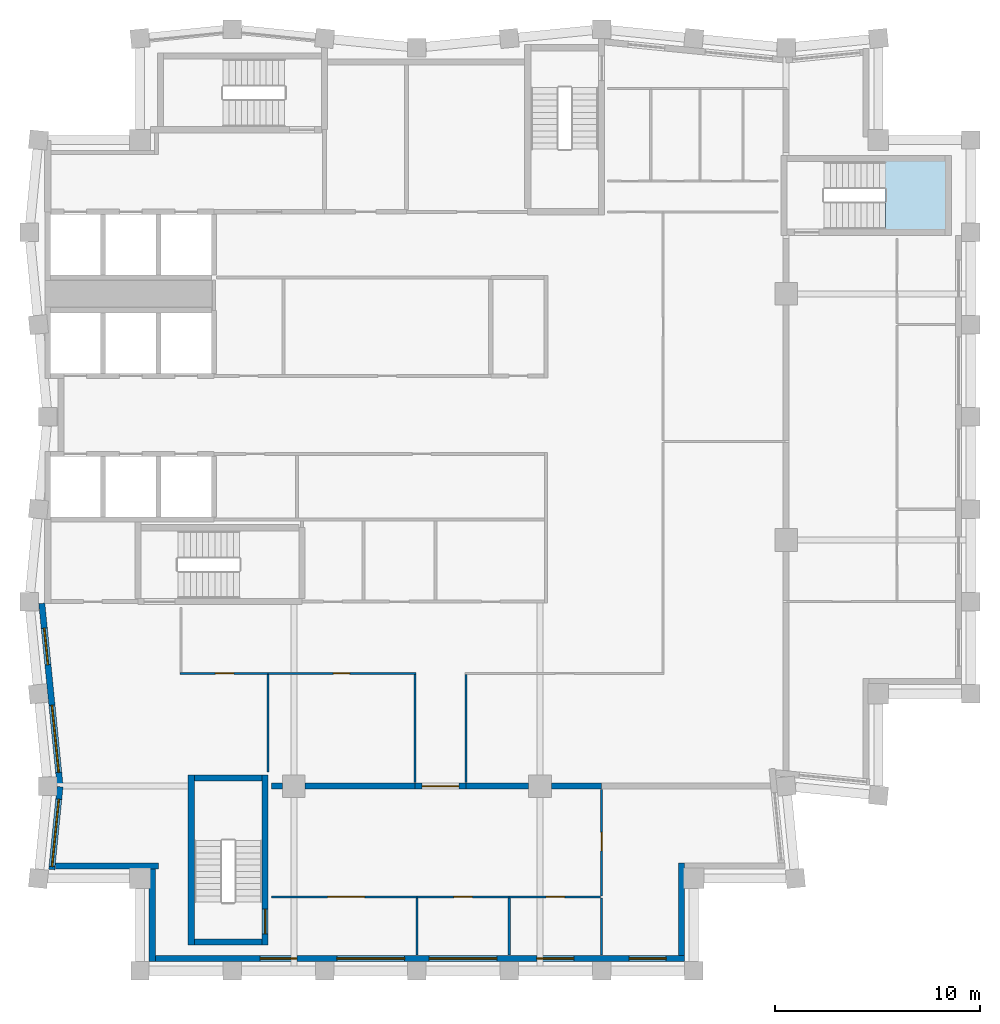
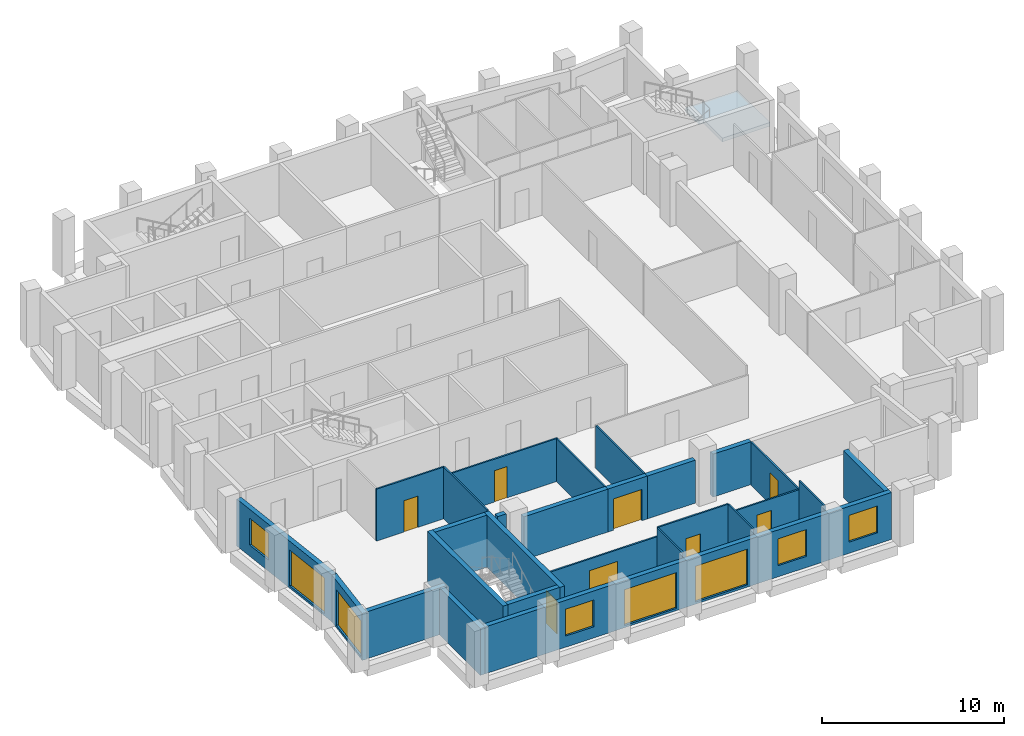
# One storey, part 2 of 7: 27 walls, 8 doors, 8 windows, 1 slab, 16 openings, 1 element without a shape of its own.
"""IFC4 building model written with IfcOpenShell, lengths in metres."""

from ifc_helpers import new_model, si_unit, direction, frame, frame_2d, origin, place, context, subcontext, project, spatial, polyline, rectangle, outline, extrude, material, layer, layer_set, type_object, element, fill, aggregate, save


model = new_model("IFC4")

# Units and contexts
model_context = context("Model", 3, precision=1e-05, world=origin(), true_north=direction((0.0, 1.0)))
body_context = subcontext(model_context, "Body", "Model", "MODEL_VIEW")
ifc_project = project(units=[si_unit("LENGTHUNIT", "METRE"), si_unit("AREAUNIT", "SQUARE_METRE"), si_unit("VOLUMEUNIT", "CUBIC_METRE"), si_unit("PLANEANGLEUNIT", "RADIAN"), si_unit("MASSUNIT", "GRAM", prefix="KILO")], contexts=[model_context])

# Site, building, storey
site_placement = place(None, origin())
site = spatial("IfcSite", under=ifc_project, at=site_placement, CompositionType="ELEMENT")
building_placement = place(site_placement, origin())
building = spatial("IfcBuilding", under=site, at=building_placement, Name="Brondeck Convention Tower", CompositionType="ELEMENT")
storey_placement = place(building_placement, frame((0.0, 0.0, 267.60009765625)))
storey = spatial("IfcBuildingStorey", under=building, at=storey_placement, Name="L66", CompositionType="ELEMENT", Elevation=267.60009765625)

# Stair, slab
ifc_material_1 = material(Name="Precast concrete C50/60", Category="concrete")
stair_type = type_object("IfcStairType", Name="Core stair 22 risers 172.73 mm riser 300 mm going 1350 wide", PredefinedType="HALF_TURN_STAIR", material=ifc_material_1)
stair_placement = place(storey_placement, origin())
stair = element("IfcStair", 1, at=stair_placement, inside=storey, type_object=stair_type, Name="ST-AE L66 stair", PredefinedType="HALF_TURN_STAIR")
ifc_layer_1 = layer(ifc_material_1, 0.25)
ifc_layer_set_1 = layer_set([ifc_layer_1], Name="Core stair landing 250 Precast concrete C50/60")
slab_type = type_object("IfcSlabType", Name="Core stair landing 250 Precast concrete C50/60", PredefinedType="LANDING", material=ifc_layer_set_1)
slab_placement = place(storey_placement, frame((0.0, 0.0, 1.64990234375)))
slab = element("IfcSlab", 2, at=slab_placement, type_object=slab_type, Name="ST-AE landing 1", PredefinedType="LANDING", context=body_context, shape_type="SweptSolid", body=[
    extrude(outline(polyline([(40.847900390625, 55.5), (40.85009765625, 55.5), (40.85009765625, 56.10009765625), (40.550048828125, 56.10009765625), (40.550048828125, 57.570068359375), (43.8701171875, 57.570068359375), (43.8701171875, 54.030029296875), (40.847900390625, 54.030029296875), (40.847900390625, 55.5)])), origin(), (0.0, 0.0, 1.0), 0.25),
])
aggregate(stair, [slab])

# Walls
ifc_material_2 = material(Name="Concrete compartment wall C30/37", Category="concrete")
ifc_layer_2 = layer(ifc_material_2, 0.300048828125)
ifc_layer_set_2 = layer_set([ifc_layer_2], Name="Compartment wall 300")
wall_type_1 = type_object("IfcWallType", Name="Compartment wall 300", PredefinedType="PARTITIONING", material=ifc_layer_set_2)
wall_1_placement = place(storey_placement, frame((10.89990234375, 27.0, 0.0), z_axis=(0.0, 0.0, 1.0), x_axis=(1.0, 0.0, 0.0)))
element("IfcWall", 3, at=wall_1_placement, inside=storey, type_object=wall_type_1, Name="FLR-L66-W013", PredefinedType="PARTITIONING", context=body_context, shape_type="SweptSolid", body=[
    extrude(rectangle(XDim=0.545166015625, YDim=0.300048828125, at=frame_2d((0.2724609375, 0.0))), origin(), (0.0, 0.0, 1.0), 3.47998046875),
])
wall_2_placement = place(storey_placement, frame((12.554931640625, 27.0, 0.0), z_axis=(0.0, 0.0, 1.0), x_axis=(1.0, 0.0, 0.0)))
element("IfcWall", 4, at=wall_2_placement, inside=storey, type_object=wall_type_1, Name="FLR-L66-W014", PredefinedType="PARTITIONING", context=body_context, shape_type="SweptSolid", body=[
    extrude(rectangle(XDim=5.344970703125, YDim=0.300048828125, at=frame_2d((2.67236328125, 0.0))), origin(), (0.0, 0.0, 1.0), 2.8798828125),
])

# Wall, opening, door
wall_3_placement = place(storey_placement, frame((20.39990234375, 27.0, 0.0), z_axis=(0.0, 0.0, 1.0), x_axis=(-1.0, 0.0, 0.0)))
wall_3 = element("IfcWall", 5, at=wall_3_placement, inside=storey, type_object=wall_type_1, Name="FLR-L66-W015", PredefinedType="PARTITIONING", context=body_context, shape_type="SweptSolid", body=[
    extrude(rectangle(XDim=2.5, YDim=0.300048828125, at=frame_2d((1.25, 0.0))), origin(), (0.0, 0.0, 1.0), 2.8798828125),
])
opening_1_placement = place(wall_3_placement, frame((0.35009765625, 0.0, 0.0)))
opening_1 = element("IfcOpeningElement", 6, at=opening_1_placement, cuts=wall_3, Name="Opening EX-C-018", PredefinedType="OPENING", context=body_context, shape_type="SweptSolid", body=[
    extrude(rectangle(XDim=1.800048828125, YDim=2.10009765625, at=frame_2d((0.89990234375, 1.050048828125))), frame((0.0, 0.159912109375, 0.0), z_axis=(0.0, -1.0, 0.0), x_axis=(1.0, 0.0, 0.0)), (0.0, 0.0, 1.0), 0.320068359375),
])
ifc_material_3 = material(Name="Steel fire door pair", Category="steel")
door_type_1 = type_object("IfcDoorType", Name="Fire door pair 1800", OperationType="DOUBLE_DOOR_SINGLE_SWING", PredefinedType="DOOR", material=ifc_material_3)
door_1_placement = place(opening_1_placement, origin())
door_1 = element("IfcDoor", 7, at=door_1_placement, inside=storey, type_object=door_type_1, Name="Door EX-C-018", OperationType="DOUBLE_DOOR_SINGLE_SWING", OverallHeight=2.10009765625, OverallWidth=1.800048828125, PredefinedType="DOOR", context=body_context, shape_type="SweptSolid", body=[
    extrude(rectangle(XDim=1.800048828125, YDim=2.10009765625, at=frame_2d((0.89990234375, 1.050048828125))), frame((0.0, 0.02490234375, 0.0), z_axis=(0.0, -1.0, 0.0), x_axis=(1.0, 0.0, 0.0)), (0.0, 0.0, 1.0), 0.050048828125),
])
fill(opening_1, door_1)

# Walls
wall_4_placement = place(storey_placement, frame((20.39990234375, 27.0, 0.0), z_axis=(0.0, 0.0, 1.0), x_axis=(1.0, 0.0, 0.0)))
element("IfcWall", 8, at=wall_4_placement, inside=storey, type_object=wall_type_1, Name="FLR-L66-W016", PredefinedType="PARTITIONING", context=body_context, shape_type="SweptSolid", body=[
    extrude(rectangle(XDim=3.045166015625, YDim=0.300048828125, at=frame_2d((1.5224609375, 0.0))), origin(), (0.0, 0.0, 1.0), 2.8798828125),
])
wall_5_placement = place(storey_placement, frame((24.554931640625, 27.0, 0.0), z_axis=(0.0, 0.0, 1.0), x_axis=(1.0, 0.0, 0.0)))
element("IfcWall", 9, at=wall_5_placement, inside=storey, type_object=wall_type_1, Name="FLR-L66-W017", PredefinedType="PARTITIONING", context=body_context, shape_type="SweptSolid", body=[
    extrude(rectangle(XDim=2.445068359375, YDim=0.300048828125, at=frame_2d((1.22265625, 0.0))), origin(), (0.0, 0.0, 1.0), 2.8798828125),
])

# Wall, openings, windows
ifc_material_4 = material(Name="Precast concrete C50/60 bronze finish", Category="concrete")
ifc_layer_3 = layer(ifc_material_4, 0.070068359375, Name="Bronze precast facing")
ifc_material_5 = material(Name="Mineral wool")
ifc_layer_4 = layer(ifc_material_5, 0.159912109375, Name="Insulation")
ifc_material_6 = material(Name="Concrete C35/45", Category="concrete")
ifc_layer_5 = layer(ifc_material_6, 0.070068359375, Name="Backing")
ifc_layer_set_3 = layer_set([ifc_layer_3, ifc_layer_4, ifc_layer_5], Name="External infill wall, precast concrete C50/60 bronze facing")
wall_type_2 = type_object("IfcWallType", Name="External infill wall, precast concrete C50/60 bronze facing", PredefinedType="SOLIDWALL", material=ifc_layer_set_3)
wall_6_placement = place(storey_placement, frame((31.050048828125, 18.60009765625, 0.0), z_axis=(0.0, 0.0, 1.0), x_axis=(-1.0, 0.0, 0.0)))
wall_6 = element("IfcWall", 10, at=wall_6_placement, inside=storey, type_object=wall_type_2, Name="ENV-EW-L66-P3-B-S18-01", PredefinedType="SOLIDWALL", context=body_context, shape_type="SweptSolid", body=[
    extrude(rectangle(XDim=25.800048828125, YDim=0.300048828125, at=frame_2d((12.89990234375, 0.0))), origin(), (0.0, 0.0, 1.0), 3.14990234375),
])
opening_2_placement = place(wall_6_placement, frame((0.89990234375, 0.0, 0.75)))
opening_2 = element("IfcOpeningElement", 11, at=opening_2_placement, cuts=wall_6, Name="Opening W10", PredefinedType="OPENING", context=body_context, shape_type="SweptSolid", body=[
    extrude(rectangle(XDim=1.800048828125, YDim=1.800048828125, at=frame_2d((0.89990234375, 0.89990234375))), frame((0.0, 0.159912109375, 0.0), z_axis=(0.0, -1.0, 0.0), x_axis=(1.0, 0.0, 0.0)), (0.0, 0.0, 1.0), 0.320068359375),
])
opening_3_placement = place(wall_6_placement, frame((5.39990234375, 0.0, 0.75)))
opening_3 = element("IfcOpeningElement", 12, at=opening_3_placement, cuts=wall_6, Name="Opening W10", PredefinedType="OPENING", context=body_context, shape_type="SweptSolid", body=[
    extrude(rectangle(XDim=1.800048828125, YDim=1.800048828125, at=frame_2d((0.89990234375, 0.89990234375))), frame((0.0, 0.159912109375, 0.0), z_axis=(0.0, -1.0, 0.0), x_axis=(1.0, 0.0, 0.0)), (0.0, 0.0, 1.0), 0.320068359375),
])
opening_4_placement = place(wall_6_placement, frame((9.14990234375, 0.0, 0.14990234375)))
opening_4 = element("IfcOpeningElement", 13, at=opening_4_placement, cuts=wall_6, Name="Opening W9", PredefinedType="OPENING", context=body_context, shape_type="SweptSolid", body=[
    extrude(rectangle(XDim=3.300048828125, YDim=2.39990234375, at=frame_2d((1.64990234375, 1.199951171875))), frame((0.0, 0.159912109375, 0.0), z_axis=(0.0, -1.0, 0.0), x_axis=(1.0, 0.0, 0.0)), (0.0, 0.0, 1.0), 0.320068359375),
])
opening_5_placement = place(wall_6_placement, frame((13.64990234375, 0.0, 0.14990234375)))
opening_5 = element("IfcOpeningElement", 14, at=opening_5_placement, cuts=wall_6, Name="Opening W9", PredefinedType="OPENING", context=body_context, shape_type="SweptSolid", body=[
    extrude(rectangle(XDim=3.300048828125, YDim=2.39990234375, at=frame_2d((1.64990234375, 1.199951171875))), frame((0.0, 0.159912109375, 0.0), z_axis=(0.0, -1.0, 0.0), x_axis=(1.0, 0.0, 0.0)), (0.0, 0.0, 1.0), 0.320068359375),
])
opening_6_placement = place(wall_6_placement, frame((18.89990234375, 0.0, 0.75)))
opening_6 = element("IfcOpeningElement", 15, at=opening_6_placement, cuts=wall_6, Name="Opening W10", PredefinedType="OPENING", context=body_context, shape_type="SweptSolid", body=[
    extrude(rectangle(XDim=1.800048828125, YDim=1.800048828125, at=frame_2d((0.89990234375, 0.89990234375))), frame((0.0, 0.159912109375, 0.0), z_axis=(0.0, -1.0, 0.0), x_axis=(1.0, 0.0, 0.0)), (0.0, 0.0, 1.0), 0.320068359375),
])
ifc_material_7 = material(Name="Bronze tinted double glazing", Category="glass")
window_type_1 = type_object("IfcWindowType", Name="Glazed flute window, bronze tinted", PartitioningType="SINGLE_PANEL", PredefinedType="WINDOW", material=ifc_material_7)
window_1_placement = place(opening_4_placement, origin())
window_1 = element("IfcWindow", 16, at=window_1_placement, inside=storey, type_object=window_type_1, Name="ENV-WN-L66-P3-B-S18-04", OverallHeight=2.39990234375, OverallWidth=3.300048828125, PartitioningType="SINGLE_PANEL", PredefinedType="WINDOW", context=body_context, shape_type="SweptSolid", body=[
    extrude(rectangle(XDim=3.300048828125, YDim=2.39990234375, at=frame_2d((1.64990234375, 1.199951171875))), frame((0.0, 0.030029296875, 0.0), z_axis=(0.0, -1.0, 0.0), x_axis=(1.0, 0.0, 0.0)), (0.0, 0.0, 1.0), 0.06005859375),
])
fill(opening_4, window_1)
window_2_placement = place(opening_5_placement, origin())
window_2 = element("IfcWindow", 17, at=window_2_placement, inside=storey, type_object=window_type_1, Name="ENV-WN-L66-P3-B-S18-03", OverallHeight=2.39990234375, OverallWidth=3.300048828125, PartitioningType="SINGLE_PANEL", PredefinedType="WINDOW", context=body_context, shape_type="SweptSolid", body=[
    extrude(rectangle(XDim=3.300048828125, YDim=2.39990234375, at=frame_2d((1.64990234375, 1.199951171875))), frame((0.0, 0.030029296875, 0.0), z_axis=(0.0, -1.0, 0.0), x_axis=(1.0, 0.0, 0.0)), (0.0, 0.0, 1.0), 0.06005859375),
])
fill(opening_5, window_2)
window_type_2 = type_object("IfcWindowType", Name="Punched window, bronze tinted", PartitioningType="SINGLE_PANEL", PredefinedType="WINDOW", material=ifc_material_7)
window_3_placement = place(opening_2_placement, origin())
window_3 = element("IfcWindow", 18, at=window_3_placement, inside=storey, type_object=window_type_2, Name="ENV-WN-L66-P3-B-S18-06", OverallHeight=1.800048828125, OverallWidth=1.800048828125, PartitioningType="SINGLE_PANEL", PredefinedType="WINDOW", context=body_context, shape_type="SweptSolid", body=[
    extrude(rectangle(XDim=1.800048828125, YDim=1.800048828125, at=frame_2d((0.89990234375, 0.89990234375))), frame((0.0, 0.030029296875, 0.0), z_axis=(0.0, -1.0, 0.0), x_axis=(1.0, 0.0, 0.0)), (0.0, 0.0, 1.0), 0.06005859375),
])
fill(opening_2, window_3)
window_4_placement = place(opening_3_placement, origin())
window_4 = element("IfcWindow", 19, at=window_4_placement, inside=storey, type_object=window_type_2, Name="ENV-WN-L66-P3-B-S18-05", OverallHeight=1.800048828125, OverallWidth=1.800048828125, PartitioningType="SINGLE_PANEL", PredefinedType="WINDOW", context=body_context, shape_type="SweptSolid", body=[
    extrude(rectangle(XDim=1.800048828125, YDim=1.800048828125, at=frame_2d((0.89990234375, 0.89990234375))), frame((0.0, 0.030029296875, 0.0), z_axis=(0.0, -1.0, 0.0), x_axis=(1.0, 0.0, 0.0)), (0.0, 0.0, 1.0), 0.06005859375),
])
fill(opening_3, window_4)
window_5_placement = place(opening_6_placement, origin())
window_5 = element("IfcWindow", 20, at=window_5_placement, inside=storey, type_object=window_type_2, Name="ENV-WN-L66-P3-B-S18-02", OverallHeight=1.800048828125, OverallWidth=1.800048828125, PartitioningType="SINGLE_PANEL", PredefinedType="WINDOW", context=body_context, shape_type="SweptSolid", body=[
    extrude(rectangle(XDim=1.800048828125, YDim=1.800048828125, at=frame_2d((0.89990234375, 0.89990234375))), frame((0.0, 0.030029296875, 0.0), z_axis=(0.0, -1.0, 0.0), x_axis=(1.0, 0.0, 0.0)), (0.0, 0.0, 1.0), 0.06005859375),
])
fill(opening_6, window_5)

# Wall
wall_7_placement = place(storey_placement, frame((30.89990234375, 23.25, 0.0), z_axis=(0.0, 0.0, 1.0), x_axis=(0.0, -1.0, 0.0)))
element("IfcWall", 21, at=wall_7_placement, inside=storey, type_object=wall_type_2, Name="ENV-EW-L66-P3-NC-SEB18-01", PredefinedType="SOLIDWALL", context=body_context, shape_type="SweptSolid", body=[
    extrude(rectangle(XDim=4.5, YDim=0.300048828125, at=frame_2d((2.25, 0.0))), origin(), (0.0, 0.0, 1.0), 3.14990234375),
])

# Wall, openings, windows
wall_8_placement = place(storey_placement, frame((0.6044921875, 26.985107421875, 0.0), z_axis=(0.0, 0.0, 1.0), x_axis=(-0.099509108728, 0.995036651225, 0.0)))
wall_8 = element("IfcWall", 22, at=wall_8_placement, inside=storey, type_object=wall_type_2, Name="ENV-EW-L66-P3-B-W-06", PredefinedType="SOLIDWALL", context=body_context, shape_type="SweptSolid", body=[
    extrude(rectangle(XDim=8.9697265625, YDim=0.300048828125, at=frame_2d((4.48486328125, 0.0))), origin(), (0.0, 0.0, 1.0), 3.14990234375),
])
opening_7_placement = place(wall_8_placement, frame((0.686279296875, 0.0, 0.14990234375)))
opening_7 = element("IfcOpeningElement", 23, at=opening_7_placement, cuts=wall_8, Name="Opening W9", PredefinedType="OPENING", context=body_context, shape_type="SweptSolid", body=[
    extrude(rectangle(XDim=3.300048828125, YDim=2.39990234375, at=frame_2d((1.64990234375, 1.199951171875))), frame((0.0, 0.159912109375, 0.0), z_axis=(0.0, -1.0, 0.0), x_axis=(1.0, 0.0, 0.0)), (0.0, 0.0, 1.0), 0.320068359375),
])
opening_8_placement = place(wall_8_placement, frame((5.95849609375, 0.0, 0.75)))
opening_8 = element("IfcOpeningElement", 24, at=opening_8_placement, cuts=wall_8, Name="Opening W10", PredefinedType="OPENING", context=body_context, shape_type="SweptSolid", body=[
    extrude(rectangle(XDim=1.800048828125, YDim=1.800048828125, at=frame_2d((0.89990234375, 0.89990234375))), frame((0.0, 0.159912109375, 0.0), z_axis=(0.0, -1.0, 0.0), x_axis=(1.0, 0.0, 0.0)), (0.0, 0.0, 1.0), 0.320068359375),
])
window_6_placement = place(opening_7_placement, origin())
window_6 = element("IfcWindow", 25, at=window_6_placement, inside=storey, type_object=window_type_1, Name="ENV-WN-L66-P3-B-W-07", OverallHeight=2.39990234375, OverallWidth=3.300048828125, PartitioningType="SINGLE_PANEL", PredefinedType="WINDOW", context=body_context, shape_type="SweptSolid", body=[
    extrude(rectangle(XDim=3.300048828125, YDim=2.39990234375, at=frame_2d((1.64990234375, 1.199951171875))), frame((0.0, 0.030029296875, 0.0), z_axis=(0.0, -1.0, 0.0), x_axis=(1.0, 0.0, 0.0)), (0.0, 0.0, 1.0), 0.06005859375),
])
fill(opening_7, window_6)
window_7_placement = place(opening_8_placement, origin())
window_7 = element("IfcWindow", 26, at=window_7_placement, inside=storey, type_object=window_type_2, Name="ENV-WN-L66-P3-B-W-06", OverallHeight=1.800048828125, OverallWidth=1.800048828125, PartitioningType="SINGLE_PANEL", PredefinedType="WINDOW", context=body_context, shape_type="SweptSolid", body=[
    extrude(rectangle(XDim=1.800048828125, YDim=1.800048828125, at=frame_2d((0.89990234375, 0.89990234375))), frame((0.0, 0.030029296875, 0.0), z_axis=(0.0, -1.0, 0.0), x_axis=(1.0, 0.0, 0.0)), (0.0, 0.0, 1.0), 0.06005859375),
])
fill(opening_8, window_7)

# Wall, opening, window
wall_9_placement = place(storey_placement, frame((0.196533203125, 22.93505859375, 0.0), z_axis=(0.0, 0.0, 1.0), x_axis=(0.09951564041, 0.995035997999, 0.0)))
wall_9 = element("IfcWall", 27, at=wall_9_placement, inside=storey, type_object=wall_type_2, Name="ENV-EW-L66-P3-B-W-08", PredefinedType="SOLIDWALL", context=body_context, shape_type="SweptSolid", body=[
    extrude(rectangle(XDim=4.05517578125, YDim=0.300048828125, at=frame_2d((2.027587890625, 0.0))), origin(), (0.0, 0.0, 1.0), 3.14990234375),
])
opening_9_placement = place(wall_9_placement, frame((0.14990234375, 0.0, 0.14990234375)))
opening_9 = element("IfcOpeningElement", 28, at=opening_9_placement, cuts=wall_9, Name="Opening W9", PredefinedType="OPENING", context=body_context, shape_type="SweptSolid", body=[
    extrude(rectangle(XDim=3.300048828125, YDim=2.39990234375, at=frame_2d((1.64990234375, 1.199951171875))), frame((0.0, 0.159912109375, 0.0), z_axis=(0.0, -1.0, 0.0), x_axis=(1.0, 0.0, 0.0)), (0.0, 0.0, 1.0), 0.320068359375),
])
window_8_placement = place(opening_9_placement, origin())
window_8 = element("IfcWindow", 29, at=window_8_placement, inside=storey, type_object=window_type_1, Name="ENV-WN-L66-P3-B-W-08", OverallHeight=2.39990234375, OverallWidth=3.300048828125, PartitioningType="SINGLE_PANEL", PredefinedType="WINDOW", context=body_context, shape_type="SweptSolid", body=[
    extrude(rectangle(XDim=3.300048828125, YDim=2.39990234375, at=frame_2d((1.64990234375, 1.199951171875))), frame((0.0, 0.030029296875, 0.0), z_axis=(0.0, -1.0, 0.0), x_axis=(1.0, 0.0, 0.0)), (0.0, 0.0, 1.0), 0.06005859375),
])
fill(opening_9, window_8)

# Walls
wall_10_placement = place(storey_placement, frame((5.39990234375, 23.10009765625, 0.0), z_axis=(0.0, 0.0, 1.0), x_axis=(-1.0, 0.0, 0.0)))
element("IfcWall", 30, at=wall_10_placement, inside=storey, type_object=wall_type_2, Name="ENV-EW-L66-P3-NC-SWB18-01", PredefinedType="SOLIDWALL", context=body_context, shape_type="SweptSolid", body=[
    extrude(rectangle(XDim=5.031005859375, YDim=0.300048828125, at=frame_2d((2.515625, 0.0))), origin(), (0.0, 0.0, 1.0), 3.14990234375),
])
wall_11_placement = place(storey_placement, frame((5.10009765625, 18.449951171875, 0.0), z_axis=(0.0, 0.0, 1.0), x_axis=(0.0, 1.0, 0.0)))
element("IfcWall", 31, at=wall_11_placement, inside=storey, type_object=wall_type_2, Name="ENV-EW-L66-P3-NC-SWB18-02", PredefinedType="SOLIDWALL", context=body_context, shape_type="SweptSolid", body=[
    extrude(rectangle(XDim=4.5, YDim=0.300048828125, at=frame_2d((2.25, 0.0))), origin(), (0.0, 0.0, 1.0), 3.14990234375),
])
ifc_material_8 = material(Name="Gypsum board partition on steel studs", Category="steel")
ifc_layer_6 = layer(ifc_material_8, 0.10009765625)
ifc_layer_set_4 = layer_set([ifc_layer_6], Name="Room partition 100")
wall_type_3 = type_object("IfcWallType", Name="Room partition 100", PredefinedType="PARTITIONING", material=ifc_layer_set_4)
for number, where, z_axis, x_axis, name in (
    (32, (18.0, 18.77001953125, 0.0), (0.0, 0.0, 1.0), (0.0, 1.0, 0.0), "FLR-L66-W001"),
    (33, (22.5, 18.77001953125, 0.0), (0.0, 0.0, 1.0), (0.0, 1.0, 0.0), "FLR-L66-W002"),
    (34, (27.0, 21.550048828125, 0.0), (0.0, 0.0, 1.0), (0.0, -1.0, 0.0), "FLR-L66-W005"),
):
    element("IfcWall", number, at=place(storey_placement, frame(where, z_axis=z_axis, x_axis=x_axis)), inside=storey, type_object=wall_type_3, Name=name, PredefinedType="PARTITIONING", context=body_context, shape_type="SweptSolid", body=[
        extrude(rectangle(XDim=2.780029296875, YDim=0.10009765625, at=frame_2d((1.39013671875, 0.0))), origin(), (0.0, 0.0, 1.0), 3.47998046875),
    ])

# Wall, opening, door
wall_12_placement = place(storey_placement, frame((18.0, 21.60009765625, 0.0), z_axis=(0.0, 0.0, 1.0), x_axis=(-1.0, 0.0, 0.0)))
wall_12 = element("IfcWall", 35, at=wall_12_placement, inside=storey, type_object=wall_type_3, Name="FLR-L66-W006", PredefinedType="PARTITIONING", context=body_context, shape_type="SweptSolid", body=[
    extrude(rectangle(XDim=7.10009765625, YDim=0.10009765625, at=frame_2d((3.550048828125, 0.0))), origin(), (0.0, 0.0, 1.0), 2.8798828125),
])
opening_10_placement = place(wall_12_placement, frame((2.550048828125, 0.0, 0.0)))
opening_10 = element("IfcOpeningElement", 36, at=opening_10_placement, cuts=wall_12, Name="Opening EX-C-007", PredefinedType="OPENING", context=body_context, shape_type="SweptSolid", body=[
    extrude(rectangle(XDim=1.800048828125, YDim=2.10009765625, at=frame_2d((0.89990234375, 1.050048828125))), frame((0.0, 0.06005859375, 0.0), z_axis=(0.0, -1.0, 0.0), x_axis=(1.0, 0.0, 0.0)), (0.0, 0.0, 1.0), 0.1201171875),
])
ifc_material_9 = material(Name="Glazed timber double door", Category="wood")
door_type_2 = type_object("IfcDoorType", Name="Double door 1800", OperationType="DOUBLE_DOOR_SINGLE_SWING", PredefinedType="DOOR", material=ifc_material_9)
door_2_placement = place(opening_10_placement, origin())
door_2 = element("IfcDoor", 37, at=door_2_placement, inside=storey, type_object=door_type_2, Name="Door EX-C-007", OperationType="DOUBLE_DOOR_SINGLE_SWING", OverallHeight=2.10009765625, OverallWidth=1.800048828125, PredefinedType="DOOR", context=body_context, shape_type="SweptSolid", body=[
    extrude(rectangle(XDim=1.800048828125, YDim=2.10009765625, at=frame_2d((0.89990234375, 1.050048828125))), frame((0.0, 0.02490234375, 0.0), z_axis=(0.0, -1.0, 0.0), x_axis=(1.0, 0.0, 0.0)), (0.0, 0.0, 1.0), 0.050048828125),
])
fill(opening_10, door_2)

wall_13_placement = place(storey_placement, frame((22.5, 21.60009765625, 0.0), z_axis=(0.0, 0.0, 1.0), x_axis=(-1.0, 0.0, 0.0)))
wall_13 = element("IfcWall", 38, at=wall_13_placement, inside=storey, type_object=wall_type_3, Name="FLR-L66-W007", PredefinedType="PARTITIONING", context=body_context, shape_type="SweptSolid", body=[
    extrude(rectangle(XDim=4.5, YDim=0.10009765625, at=frame_2d((2.25, 0.0))), origin(), (0.0, 0.0, 1.0), 3.47998046875),
])
opening_11_placement = place(wall_13_placement, frame((1.800048828125, 0.0, 0.0)))
opening_11 = element("IfcOpeningElement", 39, at=opening_11_placement, cuts=wall_13, Name="Opening EX-C-006", PredefinedType="OPENING", context=body_context, shape_type="SweptSolid", body=[
    extrude(rectangle(XDim=0.89990234375, YDim=2.10009765625, at=frame_2d((0.449951171875, 1.050048828125))), frame((0.0, 0.06005859375, 0.0), z_axis=(0.0, -1.0, 0.0), x_axis=(1.0, 0.0, 0.0)), (0.0, 0.0, 1.0), 0.1201171875),
])
ifc_material_10 = material(Name="Solid timber door leaf", Category="wood")
door_type_3 = type_object("IfcDoorType", Name="Single door 900", OperationType="NOTDEFINED", PredefinedType="DOOR", material=ifc_material_10)
door_3_placement = place(opening_11_placement, origin())
door_3 = element("IfcDoor", 40, at=door_3_placement, inside=storey, type_object=door_type_3, Name="Door EX-C-006", OperationType="SINGLE_SWING_LEFT", OverallHeight=2.10009765625, OverallWidth=0.89990234375, PredefinedType="DOOR", context=body_context, shape_type="SweptSolid", body=[
    extrude(rectangle(XDim=0.89990234375, YDim=2.10009765625, at=frame_2d((0.449951171875, 1.050048828125))), frame((0.0, 0.02490234375, 0.0), z_axis=(0.0, -1.0, 0.0), x_axis=(1.0, 0.0, 0.0)), (0.0, 0.0, 1.0), 0.050048828125),
])
fill(opening_11, door_3)

wall_14_placement = place(storey_placement, frame((26.949951171875, 21.60009765625, 0.0), z_axis=(0.0, 0.0, 1.0), x_axis=(-1.0, 0.0, 0.0)))
wall_14 = element("IfcWall", 41, at=wall_14_placement, inside=storey, type_object=wall_type_3, Name="FLR-L66-W008", PredefinedType="PARTITIONING", context=body_context, shape_type="SweptSolid", body=[
    extrude(rectangle(XDim=4.449951171875, YDim=0.10009765625, at=frame_2d((2.22509765625, 0.0))), origin(), (0.0, 0.0, 1.0), 2.8798828125),
])
opening_12_placement = place(wall_14_placement, frame((1.75, 0.0, 0.0)))
opening_12 = element("IfcOpeningElement", 42, at=opening_12_placement, cuts=wall_14, Name="Opening EX-C-005", PredefinedType="OPENING", context=body_context, shape_type="SweptSolid", body=[
    extrude(rectangle(XDim=0.89990234375, YDim=2.10009765625, at=frame_2d((0.449951171875, 1.050048828125))), frame((0.0, 0.06005859375, 0.0), z_axis=(0.0, -1.0, 0.0), x_axis=(1.0, 0.0, 0.0)), (0.0, 0.0, 1.0), 0.1201171875),
])
door_4_placement = place(opening_12_placement, origin())
door_4 = element("IfcDoor", 43, at=door_4_placement, inside=storey, type_object=door_type_3, Name="Door EX-C-005", OperationType="SINGLE_SWING_RIGHT", OverallHeight=2.10009765625, OverallWidth=0.89990234375, PredefinedType="DOOR", context=body_context, shape_type="SweptSolid", body=[
    extrude(rectangle(XDim=0.89990234375, YDim=2.10009765625, at=frame_2d((0.449951171875, 1.050048828125))), frame((0.0, 0.02490234375, 0.0), z_axis=(0.0, -1.0, 0.0), x_axis=(1.0, 0.0, 0.0)), (0.0, 0.0, 1.0), 0.050048828125),
])
fill(opening_12, door_4)

wall_15_placement = place(storey_placement, frame((27.0, 26.830078125, 0.0), z_axis=(0.0, 0.0, 1.0), x_axis=(0.0, -1.0, 0.0)))
wall_15 = element("IfcWall", 44, at=wall_15_placement, inside=storey, type_object=wall_type_3, Name="FLR-L66-W011", PredefinedType="PARTITIONING", context=body_context, shape_type="SweptSolid", body=[
    extrude(rectangle(XDim=5.18017578125, YDim=0.10009765625, at=frame_2d((2.590087890625, 0.0))), origin(), (0.0, 0.0, 1.0), 2.8798828125),
])
opening_13_placement = place(wall_15_placement, frame((2.080078125, 0.0, 0.0)))
opening_13 = element("IfcOpeningElement", 45, at=opening_13_placement, cuts=wall_15, Name="Opening EX-C-008", PredefinedType="OPENING", context=body_context, shape_type="SweptSolid", body=[
    extrude(rectangle(XDim=0.89990234375, YDim=2.10009765625, at=frame_2d((0.449951171875, 1.050048828125))), frame((0.0, 0.06005859375, 0.0), z_axis=(0.0, -1.0, 0.0), x_axis=(1.0, 0.0, 0.0)), (0.0, 0.0, 1.0), 0.1201171875),
])
door_5_placement = place(opening_13_placement, origin())
door_5 = element("IfcDoor", 46, at=door_5_placement, inside=storey, type_object=door_type_3, Name="Door EX-C-008", OperationType="SINGLE_SWING_LEFT", OverallHeight=2.10009765625, OverallWidth=0.89990234375, PredefinedType="DOOR", context=body_context, shape_type="SweptSolid", body=[
    extrude(rectangle(XDim=0.89990234375, YDim=2.10009765625, at=frame_2d((0.449951171875, 1.050048828125))), frame((0.0, 0.02490234375, 0.0), z_axis=(0.0, -1.0, 0.0), x_axis=(1.0, 0.0, 0.0)), (0.0, 0.0, 1.0), 0.050048828125),
])
fill(opening_13, door_5)

# Walls
wall_16_placement = place(storey_placement, frame((17.89990234375, 27.169921875, 0.0), z_axis=(0.0, 0.0, 1.0), x_axis=(0.0, 1.0, 0.0)))
element("IfcWall", 47, at=wall_16_placement, inside=storey, type_object=wall_type_3, Name="FLR-L66-W019", PredefinedType="PARTITIONING", context=body_context, shape_type="SweptSolid", body=[
    extrude(rectangle(XDim=5.280029296875, YDim=0.10009765625, at=frame_2d((2.64013671875, 0.0))), origin(), (0.0, 0.0, 1.0), 2.8798828125),
])
wall_17_placement = place(storey_placement, frame((10.748046875, 32.449951171875, 0.0), z_axis=(0.0, 0.0, 1.0), x_axis=(0.0, -1.0, 0.0)))
element("IfcWall", 48, at=wall_17_placement, inside=storey, type_object=wall_type_3, Name="FLR-L66-W023", PredefinedType="PARTITIONING", context=body_context, shape_type="SweptSolid", body=[
    extrude(rectangle(XDim=4.75, YDim=0.10009765625, at=frame_2d((2.375, 0.0))), origin(), (0.0, 0.0, 1.0), 3.47998046875),
])
wall_18_placement = place(storey_placement, frame((20.39990234375, 32.449951171875, 0.0), z_axis=(0.0, 0.0, 1.0), x_axis=(0.0, -1.0, 0.0)))
element("IfcWall", 49, at=wall_18_placement, inside=storey, type_object=wall_type_3, Name="FLR-L66-W024", PredefinedType="PARTITIONING", context=body_context, shape_type="SweptSolid", body=[
    extrude(rectangle(XDim=5.280029296875, YDim=0.10009765625, at=frame_2d((2.64013671875, 0.0))), origin(), (0.0, 0.0, 1.0), 2.8798828125),
])

# Wall, opening, door
wall_19_placement = place(storey_placement, frame((10.748046875, 32.5, 0.0), z_axis=(0.0, 0.0, 1.0), x_axis=(-1.0, 0.0, 0.0)))
wall_19 = element("IfcWall", 50, at=wall_19_placement, inside=storey, type_object=wall_type_3, Name="FLR-L66-W025", PredefinedType="PARTITIONING", context=body_context, shape_type="SweptSolid", body=[
    extrude(rectangle(XDim=4.298095703125, YDim=0.10009765625, at=frame_2d((2.14892578125, 0.0))), origin(), (0.0, 0.0, 1.0), 3.47998046875),
])
opening_14_placement = place(wall_19_placement, frame((1.674072265625, 0.0, 0.0)))
opening_14 = element("IfcOpeningElement", 51, at=opening_14_placement, cuts=wall_19, Name="Opening EX-C-014", PredefinedType="OPENING", context=body_context, shape_type="SweptSolid", body=[
    extrude(rectangle(XDim=0.89990234375, YDim=2.10009765625, at=frame_2d((0.449951171875, 1.050048828125))), frame((0.0, 0.06005859375, 0.0), z_axis=(0.0, -1.0, 0.0), x_axis=(1.0, 0.0, 0.0)), (0.0, 0.0, 1.0), 0.1201171875),
])
door_6_placement = place(opening_14_placement, origin())
door_6 = element("IfcDoor", 52, at=door_6_placement, inside=storey, type_object=door_type_3, Name="Door EX-C-014", OperationType="SINGLE_SWING_LEFT", OverallHeight=2.10009765625, OverallWidth=0.89990234375, PredefinedType="DOOR", context=body_context, shape_type="SweptSolid", body=[
    extrude(rectangle(XDim=0.89990234375, YDim=2.10009765625, at=frame_2d((0.449951171875, 1.050048828125))), frame((0.0, 0.02490234375, 0.0), z_axis=(0.0, -1.0, 0.0), x_axis=(1.0, 0.0, 0.0)), (0.0, 0.0, 1.0), 0.050048828125),
])
fill(opening_14, door_6)

wall_20_placement = place(storey_placement, frame((17.949951171875, 32.5, 0.0), z_axis=(0.0, 0.0, 1.0), x_axis=(-1.0, 0.0, 0.0)))
wall_20 = element("IfcWall", 53, at=wall_20_placement, inside=storey, type_object=wall_type_3, Name="FLR-L66-W026", PredefinedType="PARTITIONING", context=body_context, shape_type="SweptSolid", body=[
    extrude(rectangle(XDim=7.201904296875, YDim=0.10009765625, at=frame_2d((3.60107421875, 0.0))), origin(), (0.0, 0.0, 1.0), 2.8798828125),
])
opening_15_placement = place(wall_20_placement, frame((3.22607421875, 0.0, 0.0)))
opening_15 = element("IfcOpeningElement", 54, at=opening_15_placement, cuts=wall_20, Name="Opening EX-C-015", PredefinedType="OPENING", context=body_context, shape_type="SweptSolid", body=[
    extrude(rectangle(XDim=0.800048828125, YDim=2.10009765625, at=frame_2d((0.39990234375, 1.050048828125))), frame((0.0, 0.06005859375, 0.0), z_axis=(0.0, -1.0, 0.0), x_axis=(1.0, 0.0, 0.0)), (0.0, 0.0, 1.0), 0.1201171875),
])
door_type_4 = type_object("IfcDoorType", Name="En-suite door 800", OperationType="NOTDEFINED", PredefinedType="DOOR", material=ifc_material_10)
door_7_placement = place(opening_15_placement, origin())
door_7 = element("IfcDoor", 55, at=door_7_placement, inside=storey, type_object=door_type_4, Name="Door EX-C-015", OperationType="SINGLE_SWING_LEFT", OverallHeight=2.10009765625, OverallWidth=0.800048828125, PredefinedType="DOOR", context=body_context, shape_type="SweptSolid", body=[
    extrude(rectangle(XDim=0.800048828125, YDim=2.10009765625, at=frame_2d((0.39990234375, 1.050048828125))), frame((0.0, 0.02490234375, 0.0), z_axis=(0.0, -1.0, 0.0), x_axis=(1.0, 0.0, 0.0)), (0.0, 0.0, 1.0), 0.050048828125),
])
fill(opening_15, door_7)

# Walls
ifc_material_11 = material(Name="Concrete C50/60", Category="concrete")
ifc_layer_7 = layer(ifc_material_11, 0.300048828125)
ifc_layer_set_5 = layer_set([ifc_layer_7], Name="Stair enclosure wall 300 Concrete C50/60")
wall_type_4 = type_object("IfcWallType", Name="Stair enclosure wall 300 Concrete C50/60", PredefinedType="SHEAR", material=ifc_layer_set_5)
for number, where, z_axis, x_axis, name in (
    (56, (7.14990234375, 19.39990234375, 0.0), (0.0, 0.0, 1.0), (1.0, 0.0, 0.0), "L66 core wall"),
    (57, (7.14990234375, 27.39990234375, 0.0), (0.0, 0.0, 1.0), (1.0, 0.0, 0.0), "L66 core wall"),
):
    element("IfcWall", number, at=place(storey_placement, frame(where, z_axis=z_axis, x_axis=x_axis)), inside=storey, type_object=wall_type_4, Name=name, PredefinedType="SHEAR", context=body_context, shape_type="SweptSolid", body=[
        extrude(rectangle(XDim=3.300048828125, YDim=0.300048828125, at=frame_2d((1.64990234375, 0.0))), origin(), (0.0, 0.0, 1.0), 3.5),
    ])
wall_21_placement = place(storey_placement, frame((7.0, 19.25, 0.0), z_axis=(0.0, 0.0, 1.0), x_axis=(0.0, 1.0, 0.0)))
element("IfcWall", 58, at=wall_21_placement, inside=storey, type_object=wall_type_4, Name="L66 core wall", PredefinedType="SHEAR", context=body_context, shape_type="SweptSolid", body=[
    extrude(rectangle(XDim=8.300048828125, YDim=0.300048828125, at=frame_2d((4.14990234375, 0.0))), origin(), (0.0, 0.0, 1.0), 3.5),
])

# Wall, opening, door
wall_22_placement = place(storey_placement, frame((10.60009765625, 19.25, 0.0), z_axis=(0.0, 0.0, 1.0), x_axis=(0.0, 1.0, 0.0)))
wall_22 = element("IfcWall", 59, at=wall_22_placement, inside=storey, type_object=wall_type_4, Name="L66 core wall", PredefinedType="SHEAR", context=body_context, shape_type="SweptSolid", body=[
    extrude(rectangle(XDim=8.300048828125, YDim=0.300048828125, at=frame_2d((4.14990234375, 0.0))), origin(), (0.0, 0.0, 1.0), 3.5),
])
opening_16_placement = place(wall_22_placement, frame((0.550048828125, 0.0, 0.0)))
opening_16 = element("IfcOpeningElement", 60, at=opening_16_placement, cuts=wall_22, Name="Opening C37-17", PredefinedType="OPENING", context=body_context, shape_type="SweptSolid", body=[
    extrude(rectangle(XDim=1.199951171875, YDim=2.199951171875, at=frame_2d((0.60009765625, 1.10009765625))), frame((0.0, 0.159912109375, 0.0), z_axis=(0.0, -1.0, 0.0), x_axis=(1.0, 0.0, 0.0)), (0.0, 0.0, 1.0), 0.320068359375),
])
ifc_material_12 = material(Name="Steel fire door", Category="steel")
door_type_5 = type_object("IfcDoorType", Name="Stair door 1200x2200 EI 90", OperationType="NOTDEFINED", PredefinedType="DOOR", material=ifc_material_12)
door_8_placement = place(opening_16_placement, origin())
door_8 = element("IfcDoor", 61, at=door_8_placement, inside=storey, type_object=door_type_5, Name="L66 Stair door ST-BE", OperationType="SINGLE_SWING_RIGHT", OverallHeight=2.199951171875, OverallWidth=1.199951171875, PredefinedType="DOOR", context=body_context, shape_type="SweptSolid", body=[
    extrude(rectangle(XDim=1.199951171875, YDim=2.199951171875, at=frame_2d((0.60009765625, 1.10009765625))), frame((0.0, 0.02490234375, 0.0), z_axis=(0.0, -1.0, 0.0), x_axis=(1.0, 0.0, 0.0)), (0.0, 0.0, 1.0), 0.050048828125),
])
fill(opening_16, door_8)

save(model, "model.ifc")
